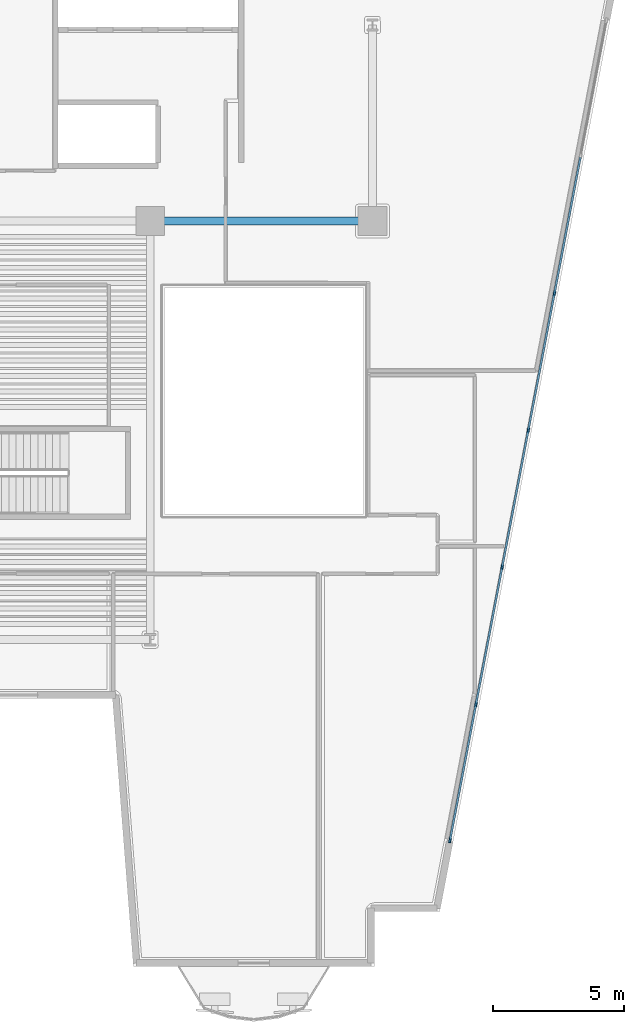
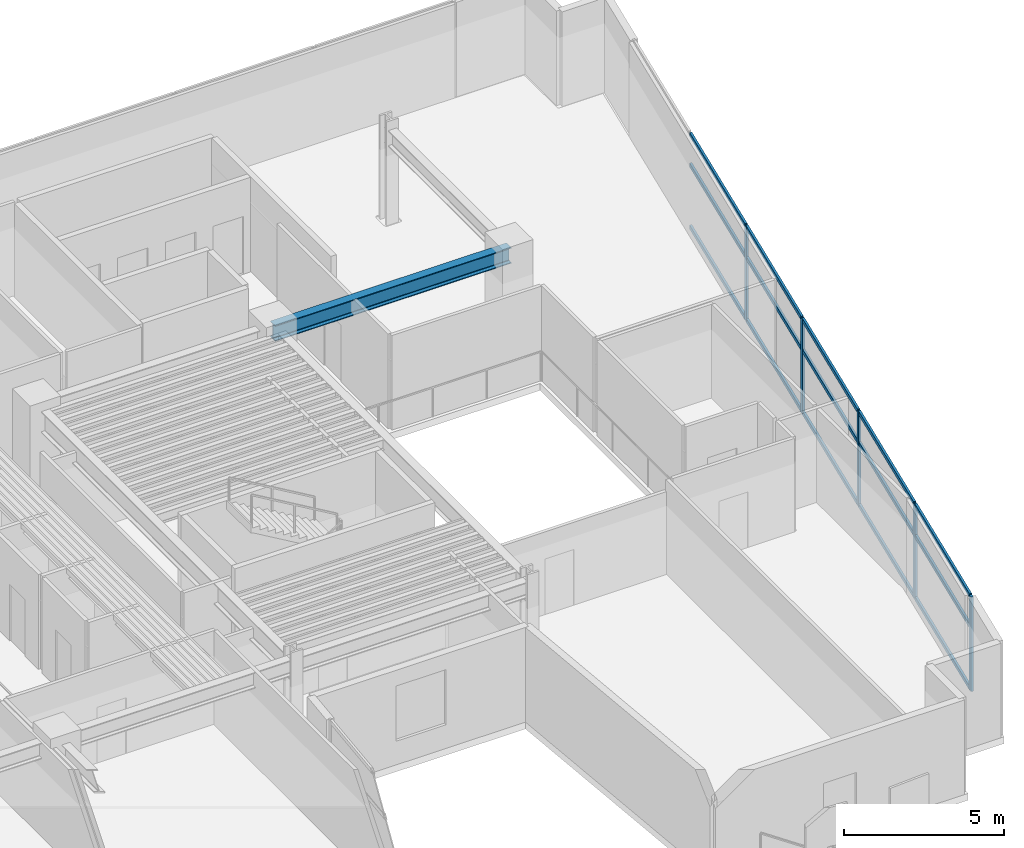
# One storey, part 3 of 14: 20 members, 1 beam, 1 element without a shape of its own.
"""IFC4 building model written with IfcOpenShell, lengths in metres."""

from ifc_helpers import new_model, si_unit, direction, frame, origin, origin_2d, place, context, subcontext, project, spatial, rectangle, i_section, extrude, material, layer, layer_set, material_profile, profile_set, type_object, element, aggregate, save


model = new_model("IFC4")

# Units and contexts
model_context = context("Model", 3, precision=1e-05, world=origin(), true_north=direction((0.0, 1.0)))
body_context = subcontext(model_context, "Body", "Model", "MODEL_VIEW")
ifc_project = project(units=[si_unit("LENGTHUNIT", "METRE"), si_unit("AREAUNIT", "SQUARE_METRE"), si_unit("VOLUMEUNIT", "CUBIC_METRE"), si_unit("PLANEANGLEUNIT", "RADIAN"), si_unit("MASSUNIT", "GRAM", prefix="KILO")], contexts=[model_context])

# Site, building, storey
site_placement = place(None, origin())
site = spatial("IfcSite", under=ifc_project, at=site_placement, CompositionType="ELEMENT")
building_placement = place(site_placement, origin())
building = spatial("IfcBuilding", under=site, at=building_placement, Name="Caeloran Harvest Quay", CompositionType="ELEMENT")
storey_placement = place(building_placement, frame((0.0, 0.0, 174.60009765625)))
storey = spatial("IfcBuildingStorey", under=building, at=storey_placement, Name="L41", CompositionType="ELEMENT", Elevation=174.60009765625)

# Beam
ifc_material_1 = material(Name="Steel S355J2", Category="steel")
ifc_material_profile_1 = material_profile(ifc_material_1, i_section(OverallWidth=0.300048828125, OverallDepth=0.60009765625, WebThickness=0.015380859375, FlangeThickness=0.030029296875, FilletRadius=0.027099609375, at=origin_2d()), Name="HE 600 B")
ifc_profile_set_1 = profile_set([ifc_material_profile_1], Name="Steel S355J2")
beam_type = type_object("IfcBeamType", Name="BM-PG-3-HE_600_B", PredefinedType="BEAM", material=ifc_profile_set_1)
beam_placement = place(storey_placement, frame((34.0, 31.0, 3.2998046875), z_axis=(1.0, 0.0, 0.0), x_axis=(0.0, 1.0, 0.0)))
element("IfcBeam", 1, at=beam_placement, inside=storey, type_object=beam_type, Name="L41 Primary East-West Girder Y=31.0", PredefinedType="BEAM", context=body_context, shape_type="SweptSolid", body=[
    extrude(i_section(OverallWidth=0.300048828125, OverallDepth=0.60009765625, WebThickness=0.015380859375, FlangeThickness=0.030029296875, FilletRadius=0.027099609375, at=origin_2d()), origin(), (0.0, 0.0, 1.0), 8.5),
])

# Curtain wall, members
ifc_material_2 = material(Name="Aluminium 6063-T6 and Low-E Glazing", Category="aluminium")
ifc_layer = layer(ifc_material_2, 0.22998046875, Name="Aluminium 6063-T6 and Low-E Glazing")
ifc_layer_set = layer_set([ifc_layer], Name="Aluminium 6063-T6 and Low-E Glazing")
curtain_wall_type = type_object("IfcCurtainWallType", Name="CW-SYS-CW-6", PredefinedType="USERDEFINED", material=ifc_layer_set)
curtain_wall_placement = place(storey_placement, origin())
curtain_wall = element("IfcCurtainWall", 2, at=curtain_wall_placement, inside=storey, type_object=curtain_wall_type, Name="L41 Unitised Curtain Wall CW-6 Run 9", ObjectType="CURTAIN_WALL", PredefinedType="USERDEFINED")
ifc_material_3 = material(Name="Aluminium 6063-T6", Category="aluminium")
ifc_material_profile_2 = material_profile(ifc_material_3, rectangle(XDim=0.080078125, YDim=0.179931640625, at=origin_2d()), Name="CW-MULLION-180")
ifc_profile_set_2 = profile_set([ifc_material_profile_2], Name="Aluminium 6063-T6")
member_type_1 = type_object("IfcMemberType", Name="CW-MULLION-180", PredefinedType="MULLION", material=ifc_profile_set_2)
member_1_placement = place(storey_placement, frame((49.453125, 28.23876953125, 0.0), z_axis=(0.0, 0.0, 1.0), x_axis=(0.982247834417, -0.187587824188, 0.0)))
member_1 = element("IfcMember", 3, at=member_1_placement, type_object=member_type_1, Name="CW-6 mullion 3", PredefinedType="MULLION", context=body_context, shape_type="SweptSolid", body=[
    extrude(rectangle(XDim=0.080078125, YDim=0.179931640625, at=origin_2d()), origin(), (0.0, 0.0, 1.0), 3.599853515625),
])
member_2_placement = place(storey_placement, frame((48.45263671875, 23.0, 0.0), z_axis=(0.0, 0.0, 1.0), x_axis=(0.982247834417, -0.187587824188, 0.0)))
member_2 = element("IfcMember", 4, at=member_2_placement, type_object=member_type_1, Name="CW-6 mullion 4", PredefinedType="MULLION", context=body_context, shape_type="SweptSolid", body=[
    extrude(rectangle(XDim=0.080078125, YDim=0.179931640625, at=origin_2d()), origin(), (0.0, 0.0, 1.0), 3.599853515625),
])
member_3_placement = place(storey_placement, frame((47.4521484375, 17.76123046875, 0.0), z_axis=(0.0, 0.0, 1.0), x_axis=(0.982247834417, -0.187587824188, 0.0)))
member_3 = element("IfcMember", 5, at=member_3_placement, type_object=member_type_1, Name="CW-6 mullion 5", PredefinedType="MULLION", context=body_context, shape_type="SweptSolid", body=[
    extrude(rectangle(XDim=0.080078125, YDim=0.179931640625, at=origin_2d()), origin(), (0.0, 0.0, 1.0), 3.599853515625),
])
member_4_placement = place(storey_placement, frame((46.45166015625, 12.5224609375, 0.0), z_axis=(0.0, 0.0, 1.0), x_axis=(0.982247834417, -0.187587824188, 0.0)))
member_4 = element("IfcMember", 6, at=member_4_placement, type_object=member_type_1, Name="CW-6 mullion 6", PredefinedType="MULLION", context=body_context, shape_type="SweptSolid", body=[
    extrude(rectangle(XDim=0.080078125, YDim=0.179931640625, at=origin_2d()), origin(), (0.0, 0.0, 1.0), 3.599853515625),
])
member_5_placement = place(storey_placement, frame((45.458740234375, 7.322998046875, 0.0), z_axis=(0.0, 0.0, 1.0), x_axis=(0.982247834417, -0.187587824188, 0.0)))
member_5 = element("IfcMember", 7, at=member_5_placement, type_object=member_type_1, Name="CW-6 mullion 7", PredefinedType="MULLION", context=body_context, shape_type="SweptSolid", body=[
    extrude(rectangle(XDim=0.080078125, YDim=0.179931640625, at=origin_2d()), origin(), (0.0, 0.0, 1.0), 3.599853515625),
])
ifc_material_profile_3 = material_profile(ifc_material_3, rectangle(XDim=0.080078125, YDim=0.14990234375, at=origin_2d()), Name="CW-TRANSOM-150")
ifc_profile_set_3 = profile_set([ifc_material_profile_3], Name="Aluminium 6063-T6")
member_type_2 = type_object("IfcMemberType", Name="CW-TRANSOM-150", PredefinedType="USERDEFINED", material=ifc_profile_set_3)
member_6_placement = place(storey_placement, frame((50.446044921875, 33.438232421875, 0.039794921875), z_axis=(-0.187564817919, -0.982252227831, 0.0), x_axis=(0.982252227831, -0.187564817919, 0.0)))
member_6 = element("IfcMember", 8, at=member_6_placement, type_object=member_type_2, Name="CW-6 transom 2.1", ObjectType="TRANSOM", PredefinedType="USERDEFINED", context=body_context, shape_type="SweptSolid", body=[
    extrude(rectangle(XDim=0.080078125, YDim=0.14990234375, at=origin_2d()), origin(), (0.0, 0.0, 1.0), 5.25341796875),
])
member_7_placement = place(storey_placement, frame((50.446044921875, 33.438232421875, 2.39990234375), z_axis=(-0.187564817919, -0.982252227831, 0.0), x_axis=(0.982252227831, -0.187564817919, 0.0)))
member_7 = element("IfcMember", 9, at=member_7_placement, type_object=member_type_2, Name="CW-6 transom 2.2", ObjectType="TRANSOM", PredefinedType="USERDEFINED", context=body_context, shape_type="SweptSolid", body=[
    extrude(rectangle(XDim=0.080078125, YDim=0.14990234375, at=origin_2d()), origin(), (0.0, 0.0, 1.0), 5.25341796875),
])
member_8_placement = place(storey_placement, frame((50.446044921875, 33.438232421875, 3.559814453125), z_axis=(-0.187564817919, -0.982252227831, 0.0), x_axis=(0.982252227831, -0.187564817919, 0.0)))
member_8 = element("IfcMember", 10, at=member_8_placement, type_object=member_type_2, Name="CW-6 transom 2.3", ObjectType="TRANSOM", PredefinedType="USERDEFINED", context=body_context, shape_type="SweptSolid", body=[
    extrude(rectangle(XDim=0.080078125, YDim=0.14990234375, at=origin_2d()), origin(), (0.0, 0.0, 1.0), 5.25341796875),
])
member_9_placement = place(storey_placement, frame((49.445556640625, 28.199462890625, 0.039794921875), z_axis=(-0.187564817919, -0.982252227831, 0.0), x_axis=(0.982252227831, -0.187564817919, 0.0)))
member_9 = element("IfcMember", 11, at=member_9_placement, type_object=member_type_2, Name="CW-6 transom 3.1", ObjectType="TRANSOM", PredefinedType="USERDEFINED", context=body_context, shape_type="SweptSolid", body=[
    extrude(rectangle(XDim=0.080078125, YDim=0.14990234375, at=origin_2d()), origin(), (0.0, 0.0, 1.0), 5.25341796875),
])
member_10_placement = place(storey_placement, frame((49.445556640625, 28.199462890625, 2.39990234375), z_axis=(-0.187564817919, -0.982252227831, 0.0), x_axis=(0.982252227831, -0.187564817919, 0.0)))
member_10 = element("IfcMember", 12, at=member_10_placement, type_object=member_type_2, Name="CW-6 transom 3.2", ObjectType="TRANSOM", PredefinedType="USERDEFINED", context=body_context, shape_type="SweptSolid", body=[
    extrude(rectangle(XDim=0.080078125, YDim=0.14990234375, at=origin_2d()), origin(), (0.0, 0.0, 1.0), 5.25341796875),
])
member_11_placement = place(storey_placement, frame((49.445556640625, 28.199462890625, 3.559814453125), z_axis=(-0.187564817919, -0.982252227831, 0.0), x_axis=(0.982252227831, -0.187564817919, 0.0)))
member_11 = element("IfcMember", 13, at=member_11_placement, type_object=member_type_2, Name="CW-6 transom 3.3", ObjectType="TRANSOM", PredefinedType="USERDEFINED", context=body_context, shape_type="SweptSolid", body=[
    extrude(rectangle(XDim=0.080078125, YDim=0.14990234375, at=origin_2d()), origin(), (0.0, 0.0, 1.0), 5.25341796875),
])
member_12_placement = place(storey_placement, frame((48.445068359375, 22.960693359375, 0.039794921875), z_axis=(-0.187564817919, -0.982252227831, 0.0), x_axis=(0.982252227831, -0.187564817919, 0.0)))
member_12 = element("IfcMember", 14, at=member_12_placement, type_object=member_type_2, Name="CW-6 transom 4.1", ObjectType="TRANSOM", PredefinedType="USERDEFINED", context=body_context, shape_type="SweptSolid", body=[
    extrude(rectangle(XDim=0.080078125, YDim=0.14990234375, at=origin_2d()), origin(), (0.0, 0.0, 1.0), 5.25341796875),
])
member_13_placement = place(storey_placement, frame((48.445068359375, 22.960693359375, 2.39990234375), z_axis=(-0.187564817919, -0.982252227831, 0.0), x_axis=(0.982252227831, -0.187564817919, 0.0)))
member_13 = element("IfcMember", 15, at=member_13_placement, type_object=member_type_2, Name="CW-6 transom 4.2", ObjectType="TRANSOM", PredefinedType="USERDEFINED", context=body_context, shape_type="SweptSolid", body=[
    extrude(rectangle(XDim=0.080078125, YDim=0.14990234375, at=origin_2d()), origin(), (0.0, 0.0, 1.0), 5.25341796875),
])
member_14_placement = place(storey_placement, frame((48.445068359375, 22.960693359375, 3.559814453125), z_axis=(-0.187564817919, -0.982252227831, 0.0), x_axis=(0.982252227831, -0.187564817919, 0.0)))
member_14 = element("IfcMember", 16, at=member_14_placement, type_object=member_type_2, Name="CW-6 transom 4.3", ObjectType="TRANSOM", PredefinedType="USERDEFINED", context=body_context, shape_type="SweptSolid", body=[
    extrude(rectangle(XDim=0.080078125, YDim=0.14990234375, at=origin_2d()), origin(), (0.0, 0.0, 1.0), 5.25341796875),
])
member_15_placement = place(storey_placement, frame((47.444580078125, 17.721923828125, 0.039794921875), z_axis=(-0.187564817919, -0.982252227831, 0.0), x_axis=(0.982252227831, -0.187564817919, 0.0)))
member_15 = element("IfcMember", 17, at=member_15_placement, type_object=member_type_2, Name="CW-6 transom 5.1", ObjectType="TRANSOM", PredefinedType="USERDEFINED", context=body_context, shape_type="SweptSolid", body=[
    extrude(rectangle(XDim=0.080078125, YDim=0.14990234375, at=origin_2d()), origin(), (0.0, 0.0, 1.0), 5.25341796875),
])
member_16_placement = place(storey_placement, frame((47.444580078125, 17.721923828125, 2.39990234375), z_axis=(-0.187564817919, -0.982252227831, 0.0), x_axis=(0.982252227831, -0.187564817919, 0.0)))
member_16 = element("IfcMember", 18, at=member_16_placement, type_object=member_type_2, Name="CW-6 transom 5.2", ObjectType="TRANSOM", PredefinedType="USERDEFINED", context=body_context, shape_type="SweptSolid", body=[
    extrude(rectangle(XDim=0.080078125, YDim=0.14990234375, at=origin_2d()), origin(), (0.0, 0.0, 1.0), 5.25341796875),
])
member_17_placement = place(storey_placement, frame((47.444580078125, 17.721923828125, 3.559814453125), z_axis=(-0.187564817919, -0.982252227831, 0.0), x_axis=(0.982252227831, -0.187564817919, 0.0)))
member_17 = element("IfcMember", 19, at=member_17_placement, type_object=member_type_2, Name="CW-6 transom 5.3", ObjectType="TRANSOM", PredefinedType="USERDEFINED", context=body_context, shape_type="SweptSolid", body=[
    extrude(rectangle(XDim=0.080078125, YDim=0.14990234375, at=origin_2d()), origin(), (0.0, 0.0, 1.0), 5.25341796875),
])
member_18_placement = place(storey_placement, frame((46.444091796875, 12.483154296875, 0.039794921875), z_axis=(-0.187553231611, -0.98225444021, 0.0), x_axis=(0.98225444021, -0.187553231611, 0.0)))
member_18 = element("IfcMember", 20, at=member_18_placement, type_object=member_type_2, Name="CW-6 transom 6.1", ObjectType="TRANSOM", PredefinedType="USERDEFINED", context=body_context, shape_type="SweptSolid", body=[
    extrude(rectangle(XDim=0.080078125, YDim=0.14990234375, at=origin_2d()), origin(), (0.0, 0.0, 1.0), 5.21337890625),
])
member_19_placement = place(storey_placement, frame((46.444091796875, 12.483154296875, 2.39990234375), z_axis=(-0.187553231611, -0.98225444021, 0.0), x_axis=(0.98225444021, -0.187553231611, 0.0)))
member_19 = element("IfcMember", 21, at=member_19_placement, type_object=member_type_2, Name="CW-6 transom 6.2", ObjectType="TRANSOM", PredefinedType="USERDEFINED", context=body_context, shape_type="SweptSolid", body=[
    extrude(rectangle(XDim=0.080078125, YDim=0.14990234375, at=origin_2d()), origin(), (0.0, 0.0, 1.0), 5.21337890625),
])
member_20_placement = place(storey_placement, frame((46.444091796875, 12.483154296875, 3.559814453125), z_axis=(-0.187553231611, -0.98225444021, 0.0), x_axis=(0.98225444021, -0.187553231611, 0.0)))
member_20 = element("IfcMember", 22, at=member_20_placement, type_object=member_type_2, Name="CW-6 transom 6.3", ObjectType="TRANSOM", PredefinedType="USERDEFINED", context=body_context, shape_type="SweptSolid", body=[
    extrude(rectangle(XDim=0.080078125, YDim=0.14990234375, at=origin_2d()), origin(), (0.0, 0.0, 1.0), 5.21337890625),
])
aggregate(curtain_wall, [member_1, member_2, member_3, member_4, member_5, member_6, member_7, member_8, member_9, member_10, member_11, member_12, member_13, member_14, member_15, member_16, member_17, member_18, member_19, member_20])

save(model, "model.ifc")
